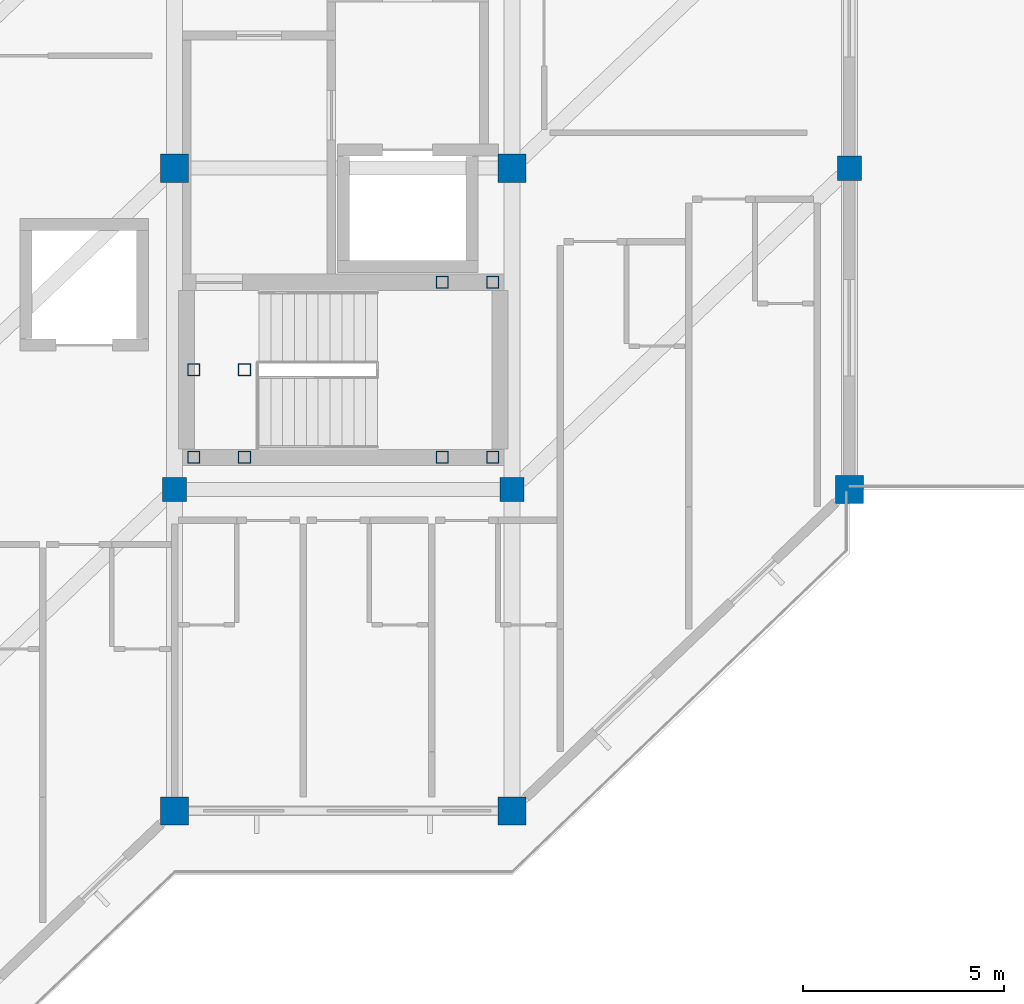
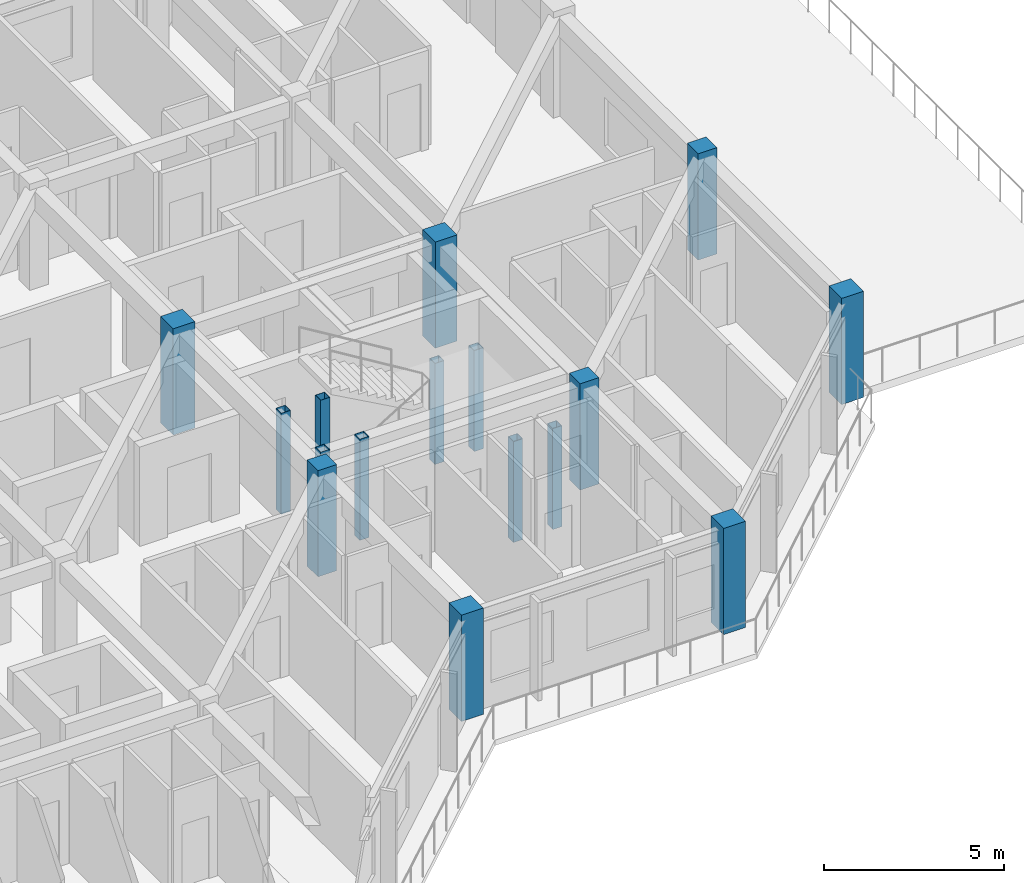
# One storey, part 2 of 15: 16 columns.
"""IFC4 building model written with IfcOpenShell, lengths in metres."""

from ifc_helpers import new_model, si_unit, direction, frame, origin, origin_2d, place, context, subcontext, project, spatial, rectangle, hollow_rectangle, extrude, material, material_profile, profile_set, type_object, element, save


model = new_model("IFC4")

# Units and contexts
model_context = context("Model", 3, precision=1e-05, world=origin(), true_north=direction((0.0, 1.0)))
body_context = subcontext(model_context, "Body", "Model", "MODEL_VIEW")
ifc_project = project(units=[si_unit("LENGTHUNIT", "METRE"), si_unit("AREAUNIT", "SQUARE_METRE"), si_unit("VOLUMEUNIT", "CUBIC_METRE"), si_unit("PLANEANGLEUNIT", "RADIAN"), si_unit("MASSUNIT", "GRAM", prefix="KILO")], contexts=[model_context])

# Site, building, storey
site_placement = place(None, origin())
site = spatial("IfcSite", under=ifc_project, at=site_placement, CompositionType="ELEMENT")
building_placement = place(site_placement, origin())
building = spatial("IfcBuilding", under=site, at=building_placement, Name="Naruveol Harbour Congress Hotel", CompositionType="ELEMENT")
storey_placement = place(building_placement, frame((0.0, 0.0, 36.0)))
storey = spatial("IfcBuildingStorey", under=building, at=storey_placement, Name="L08", CompositionType="ELEMENT", Elevation=36.0)

# Columns
ifc_material_1 = material(Name="Concrete C40/50", Category="concrete")
ifc_material_profile_1 = material_profile(ifc_material_1, rectangle(XDim=0.699951171875, YDim=0.699951171875, at=origin_2d()), Name="RC-700x700")
ifc_profile_set_1 = profile_set([ifc_material_profile_1], Name="Concrete C40/50")
column_type_1 = type_object("IfcColumnType", Name="RC HOTEL COLUMN 700X700", PredefinedType="COLUMN", material=ifc_profile_set_1)
for number, where, z_axis, x_axis, name in (
    (1, (151.199951171875, 8.0, 0.0), (0.0, 0.0, 1.0), (1.0, 0.0, 0.0), "Column C-700 L08 (151.2,8.0)"),
    (2, (151.199951171875, 24.0, 0.0), (0.0, 0.0, 1.0), (1.0, 0.0, 0.0), "Column C-700 L08 (151.2,24.0)"),
    (3, (159.60009765625, 8.0, 0.0), (0.0, 0.0, 1.0), (1.0, 0.0, 0.0), "Column C-700 L08 (159.6,8.0)"),
    (4, (159.60009765625, 24.0, 0.0), (0.0, 0.0, 1.0), (1.0, 0.0, 0.0), "Column C-700 L08 (159.6,24.0)"),
    (5, (168.0, 16.0, 0.0), (0.0, 0.0, 1.0), (1.0, 0.0, 0.0), "Column C-700 L08 (168.0,16.0)"),
):
    element("IfcColumn", number, at=place(storey_placement, frame(where, z_axis=z_axis, x_axis=x_axis)), inside=storey, type_object=column_type_1, Name=name, PredefinedType="COLUMN", context=body_context, shape_type="SweptSolid", body=[
        extrude(rectangle(XDim=0.699951171875, YDim=0.699951171875, at=origin_2d()), origin(), (0.0, 0.0, 1.0), 3.60009765625),
    ])
ifc_material_2 = material(Name="Concrete C40/50", Category="concrete")
ifc_material_profile_2 = material_profile(ifc_material_2, rectangle(XDim=0.60009765625, YDim=0.60009765625, at=origin_2d()), Name="RC-600x600")
ifc_profile_set_2 = profile_set([ifc_material_profile_2], Name="Concrete C40/50")
column_type_2 = type_object("IfcColumnType", Name="RC UPPER COLUMN 600X600", PredefinedType="COLUMN", material=ifc_profile_set_2)
for number, where, z_axis, x_axis, name in (
    (6, (151.199951171875, 16.0, 0.0), (0.0, 0.0, 1.0), (1.0, 0.0, 0.0), "Planted hotel column C-600 L08 S4/J1"),
    (7, (159.60009765625, 16.0, 0.0), (0.0, 0.0, 1.0), (1.0, 0.0, 0.0), "Planted hotel column C-600 L08 S5/J1"),
    (8, (168.0, 24.0, 0.0), (0.0, 0.0, 1.0), (1.0, 0.0, 0.0), "Planted hotel column C-600 L08 S6/J1"),
):
    element("IfcColumn", number, at=place(storey_placement, frame(where, z_axis=z_axis, x_axis=x_axis)), inside=storey, type_object=column_type_2, Name=name, PredefinedType="COLUMN", context=body_context, shape_type="SweptSolid", body=[
        extrude(rectangle(XDim=0.60009765625, YDim=0.60009765625, at=origin_2d()), origin(), (0.0, 0.0, 1.0), 3.60009765625),
    ])
ifc_material_3 = material(Name="Steel SN490", Category="steel")
ifc_material_profile_3 = material_profile(ifc_material_3, hollow_rectangle(XDim=0.300048828125, YDim=0.300048828125, WallThickness=0.011962890625, at=origin_2d()), Name="SHS-300x300x12")
ifc_profile_set_3 = profile_set([ifc_material_profile_3], Name="Steel SN490")
column_type_3 = type_object("IfcColumnType", Name="STEEL COLONNADE POST SHS300", PredefinedType="COLUMN", material=ifc_profile_set_3)
for number, where, z_axis, x_axis, name in (
    (9, (151.679931640625, 16.800048828125, 0.0), (0.0, 0.0, 1.0), (1.0, 0.0, 0.0), "Stair landing support post ST2W #106"),
    (10, (151.679931640625, 18.97998046875, 0.0), (0.0, 0.0, 1.0), (1.0, 0.0, 0.0), "Stair landing support post ST2W #118"),
    (11, (152.93994140625, 16.800048828125, 0.0), (0.0, 0.0, 1.0), (1.0, 0.0, 0.0), "Stair landing support post ST2W #130"),
    (12, (152.93994140625, 18.97998046875, 0.0), (0.0, 0.0, 1.0), (1.0, 0.0, 0.0), "Stair landing support post ST2W #142"),
):
    element("IfcColumn", number, at=place(storey_placement, frame(where, z_axis=z_axis, x_axis=x_axis)), inside=storey, type_object=column_type_3, Name=name, PredefinedType="COLUMN", context=body_context, shape_type="SweptSolid", body=[
        extrude(hollow_rectangle(XDim=0.300048828125, YDim=0.300048828125, WallThickness=0.011962890625, at=origin_2d()), origin(), (0.0, 0.0, 1.0), 3.419921875),
    ])
for number, where, z_axis, x_axis, name in (
    (13, (157.860107421875, 16.800048828125, -1.800048828125), (0.0, 0.0, 1.0), (1.0, 0.0, 0.0), "Stair landing support post ST2E #154"),
    (14, (157.860107421875, 21.159912109375, -1.800048828125), (0.0, 0.0, 1.0), (1.0, 0.0, 0.0), "Stair landing support post ST2E #166"),
    (15, (159.1201171875, 16.800048828125, -1.800048828125), (0.0, 0.0, 1.0), (1.0, 0.0, 0.0), "Stair landing support post ST2E #178"),
    (16, (159.1201171875, 21.159912109375, -1.800048828125), (0.0, 0.0, 1.0), (1.0, 0.0, 0.0), "Stair landing support post ST2E #190"),
):
    element("IfcColumn", number, at=place(storey_placement, frame(where, z_axis=z_axis, x_axis=x_axis)), inside=storey, type_object=column_type_3, Name=name, PredefinedType="COLUMN", context=body_context, shape_type="SweptSolid", body=[
        extrude(hollow_rectangle(XDim=0.300048828125, YDim=0.300048828125, WallThickness=0.011962890625, at=origin_2d()), origin(), (0.0, 0.0, 1.0), 3.420166015625),
    ])

save(model, "model.ifc")
